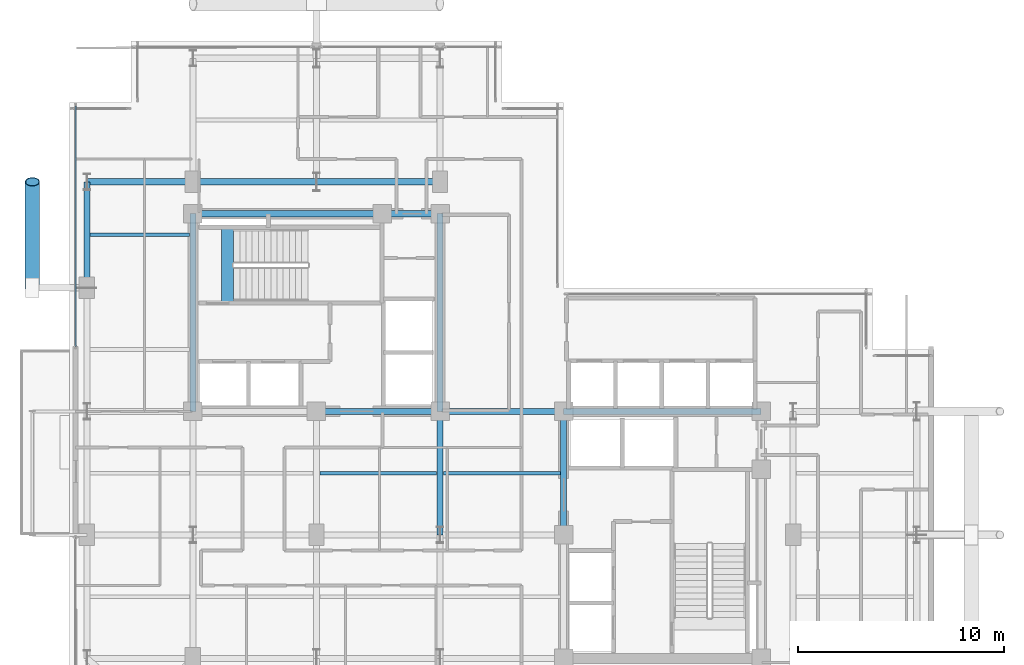
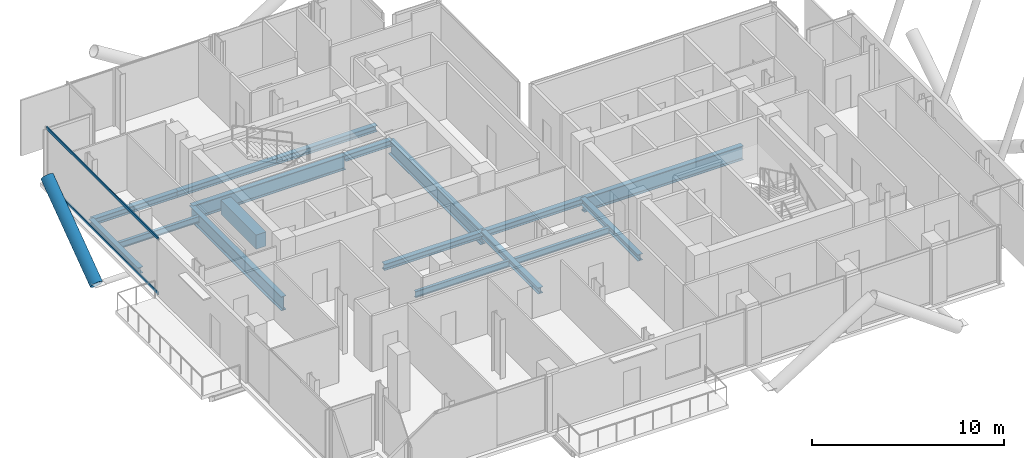
# One storey, part 8 of 22: 17 beams, 3 members, 1 element without a shape of its own.
"""IFC4 building model written with IfcOpenShell, lengths in metres."""

from ifc_helpers import new_model, si_unit, direction, frame, origin, origin_2d, place, context, subcontext, project, spatial, rectangle, hollow_rectangle, hollow_circle, i_section, extrude, material, layer, layer_set, material_profile, profile_set, type_object, element, aggregate, save


model = new_model("IFC4")

# Units and contexts
model_context = context("Model", 3, precision=1e-05, world=origin(), true_north=direction((0.0, 1.0)))
body_context = subcontext(model_context, "Body", "Model", "MODEL_VIEW")
ifc_project = project(units=[si_unit("LENGTHUNIT", "METRE"), si_unit("AREAUNIT", "SQUARE_METRE"), si_unit("VOLUMEUNIT", "CUBIC_METRE"), si_unit("PLANEANGLEUNIT", "RADIAN"), si_unit("MASSUNIT", "GRAM", prefix="KILO"), si_unit("THERMODYNAMICTEMPERATUREUNIT", "KELVIN"), si_unit("POWERUNIT", "WATT")], contexts=[model_context])

# Site, building, storey
site_placement = place(None, origin())
site = spatial("IfcSite", under=ifc_project, at=site_placement, CompositionType="ELEMENT")
building_placement = place(site_placement, origin())
building = spatial("IfcBuilding", under=site, at=building_placement, Name="Svarakhadi Broadcast Tower", CompositionType="ELEMENT")
storey_placement = place(building_placement, frame((0.0, 0.0, 191.699951171875)))
storey = spatial("IfcBuildingStorey", under=building, at=storey_placement, Name="L47", CompositionType="ELEMENT", Elevation=191.699951171875)

# Beams
ifc_material_1 = material(Name="Steel S355J2 (IS 2062 E350C)", Category="steel")
ifc_material_profile_1 = material_profile(ifc_material_1, i_section(OverallWidth=0.179931640625, OverallDepth=0.39990234375, WebThickness=0.008544921875, FlangeThickness=0.013427734375, FilletRadius=0.02099609375, at=origin_2d()), Name="NPB 400x180x66")
ifc_profile_set_1 = profile_set([ifc_material_profile_1], Name="Steel S355J2 (IS 2062 E350C)")
beam_type_1 = type_object("IfcBeamType", Name="Beam_NPB400", PredefinedType="BEAM", material=ifc_profile_set_1)
beam_1_placement = place(storey_placement, frame((1.010009765625, 26.574951171875, -0.409912109375), z_axis=(1.0, 0.0, 0.0), x_axis=(0.0, 1.0, 0.0)))
element("IfcBeam", 1, at=beam_1_placement, inside=storey, type_object=beam_type_1, Name="L47 Secondary Composite Beam SB004", PredefinedType="BEAM", context=body_context, shape_type="SweptSolid", body=[
    extrude(i_section(OverallWidth=0.179931640625, OverallDepth=0.39990234375, WebThickness=0.008544921875, FlangeThickness=0.013427734375, FilletRadius=0.02099609375, at=origin_2d()), origin(), (0.0, 0.0, 1.0), 4.830078125),
])
for number, where, z_axis, x_axis, name in (
    (2, (12.159912109375, 15.0, -0.409912109375), (1.0, 0.0, 0.0), (0.0, 1.0, 0.0), "L47 Secondary Composite Beam SB011"),
    (3, (18.159912109375, 15.0, -0.409912109375), (1.0, 0.0, 0.0), (0.0, 1.0, 0.0), "L47 Secondary Composite Beam SB015"),
):
    element("IfcBeam", number, at=place(storey_placement, frame(where, z_axis=z_axis, x_axis=x_axis)), inside=storey, type_object=beam_type_1, Name=name, PredefinedType="BEAM", context=body_context, shape_type="SweptSolid", body=[
        extrude(i_section(OverallWidth=0.179931640625, OverallDepth=0.39990234375, WebThickness=0.008544921875, FlangeThickness=0.013427734375, FilletRadius=0.02099609375, at=origin_2d()), origin(), (0.0, 0.0, 1.0), 5.68017578125),
    ])

# Curtain wall, members
ifc_material_2 = material(Name="Anodised Bronze Aluminium AA 6063-T6", Category="aluminium")
ifc_layer = layer(ifc_material_2, 0.18994140625)
ifc_layer_set = layer_set([ifc_layer], Name="Anodised Bronze Aluminium AA 6063-T6")
curtain_wall_type = type_object("IfcCurtainWallType", Name="CW_Sys_04", PredefinedType="NOTDEFINED", material=ifc_layer_set)
curtain_wall_placement = place(storey_placement, origin())
curtain_wall = element("IfcCurtainWall", 4, at=curtain_wall_placement, inside=storey, type_object=curtain_wall_type, Name="L47 West Curtain Wall 03", PredefinedType="NOTDEFINED")
ifc_material_profile_2 = material_profile(ifc_material_2, hollow_rectangle(XDim=0.06494140625, YDim=0.175048828125, WallThickness=0.0048828125, at=origin_2d()), Name="ALU TRANSOM 175x65x5")
ifc_profile_set_2 = profile_set([ifc_material_profile_2], Name="Anodised Bronze Aluminium AA 6063-T6")
member_type_1 = type_object("IfcMemberType", Name="CW_Sys_04_Trn", PredefinedType="USERDEFINED", material=ifc_profile_set_2)
member_1_placement = place(storey_placement, frame((0.300048828125, 21.159912109375, 0.032470703125), z_axis=(0.0, 1.0, 0.0), x_axis=(-1.0, 0.0, 0.0)))
member_1 = element("IfcMember", 5, at=member_1_placement, type_object=member_type_1, Name="CW-04 transom 1.1", ObjectType="TRANSOM", PredefinedType="USERDEFINED", context=body_context, shape_type="SweptSolid", body=[
    extrude(hollow_rectangle(XDim=0.06494140625, YDim=0.175048828125, WallThickness=0.0048828125, at=origin_2d()), origin(), (0.0, 0.0, 1.0), 11.68017578125),
])
member_2_placement = place(storey_placement, frame((0.300048828125, 21.159912109375, 3.507568359375), z_axis=(0.0, 1.0, 0.0), x_axis=(-1.0, 0.0, 0.0)))
member_2 = element("IfcMember", 6, at=member_2_placement, type_object=member_type_1, Name="CW-04 transom 1.2", ObjectType="TRANSOM", PredefinedType="USERDEFINED", context=body_context, shape_type="SweptSolid", body=[
    extrude(hollow_rectangle(XDim=0.06494140625, YDim=0.175048828125, WallThickness=0.0048828125, at=origin_2d()), origin(), (0.0, 0.0, 1.0), 11.68017578125),
])
aggregate(curtain_wall, [member_1, member_2])

# Beam
ifc_material_3 = material(Name="Concrete C50/60 (IS 456 M60)", Category="concrete")
ifc_material_profile_3 = material_profile(ifc_material_3, rectangle(XDim=0.60009765625, YDim=0.89990234375, at=origin_2d()), Name="RC 600x900")
ifc_profile_set_3 = profile_set([ifc_material_profile_3], Name="Concrete C50/60 (IS 456 M60)")
beam_type_2 = type_object("IfcBeamType", Name="Coupling_RC600", PredefinedType="USERDEFINED", material=ifc_profile_set_3)
beam_2_placement = place(storey_placement, frame((7.679931640625, 23.260009765625, -0.449951171875), z_axis=(0.0, 1.0, 0.0), x_axis=(-1.0, 0.0, 0.0)))
element("IfcBeam", 7, at=beam_2_placement, inside=storey, type_object=beam_type_2, Name="L47 Stair ST-01 Landing Throat Trimmer Beam CB-01", ObjectType="GIRDER", PredefinedType="USERDEFINED", context=body_context, shape_type="SweptSolid", body=[
    extrude(rectangle(XDim=0.60009765625, YDim=0.89990234375, at=origin_2d()), origin(), (0.0, 0.0, 1.0), 3.679931640625),
])

# Member
ifc_material_4 = material(Name="Steel S460ML (IS 2062 E450BR)", Category="steel")
ifc_material_profile_4 = material_profile(ifc_material_4, hollow_circle(Radius=0.35546875, WallThickness=0.034912109375, at=origin_2d()), Name="CHS 711x35")
ifc_profile_set_4 = profile_set([ifc_material_profile_4], Name="Steel S460ML (IS 2062 E450BR)")
member_type_2 = type_object("IfcMemberType", Name="Exo_Brace_CHS711", PredefinedType="BRACE", material=ifc_profile_set_4)
member_3_placement = place(storey_placement, frame((-1.800048828125, 24.0, -0.371826171875), z_axis=(0.0, 0.808391243061, 0.588645562407), x_axis=(-1.0, 0.0, 0.0)))
element("IfcMember", 8, at=member_3_placement, inside=storey, type_object=member_type_2, Name="L47 Exposed Bronze Exoskeleton Diagonal W03", PredefinedType="BRACE", context=body_context, shape_type="SweptSolid", body=[
    extrude(hollow_circle(Radius=0.35546875, WallThickness=0.034912109375, at=origin_2d()), origin(), (0.0, 0.0, 1.0), 6.37060546875),
])

# Beams
ifc_material_profile_5 = material_profile(ifc_material_1, i_section(OverallWidth=0.300048828125, OverallDepth=0.39990234375, WebThickness=0.013427734375, FlangeThickness=0.02392578125, FilletRadius=0.027099609375, at=origin_2d()), Name="WPB 400x300x155")
ifc_profile_set_5 = profile_set([ifc_material_profile_5], Name="Steel S355J2 (IS 2062 E350C)")
beam_type_3 = type_object("IfcBeamType", Name="Girder_WPB400", PredefinedType="USERDEFINED", material=ifc_profile_set_5)
for number, where, z_axis, x_axis, name in (
    (9, (12.0, 18.0, -0.409912109375), (1.0, 0.0, 0.0), (0.0, 1.0, 0.0), "L47 Primary E-W Girder G022"),
    (10, (18.0, 18.0, -0.409912109375), (1.0, 0.0, 0.0), (0.0, 1.0, 0.0), "L47 Primary E-W Girder G023"),
):
    element("IfcBeam", number, at=place(storey_placement, frame(where, z_axis=z_axis, x_axis=x_axis)), inside=storey, type_object=beam_type_3, Name=name, ObjectType="GIRDER", PredefinedType="USERDEFINED", context=body_context, shape_type="SweptSolid", body=[
        extrude(i_section(OverallWidth=0.300048828125, OverallDepth=0.39990234375, WebThickness=0.013427734375, FlangeThickness=0.02392578125, FilletRadius=0.027099609375, at=origin_2d()), origin(), (0.0, 0.0, 1.0), 6.0),
    ])
beam_3_placement = place(storey_placement, frame((15.199951171875, 27.60009765625, -0.409912109375), z_axis=(1.0, 0.0, 0.0), x_axis=(0.0, 1.0, 0.0)))
element("IfcBeam", 11, at=beam_3_placement, inside=storey, type_object=beam_type_3, Name="L47 Primary E-W Girder G027", ObjectType="GIRDER", PredefinedType="USERDEFINED", context=body_context, shape_type="SweptSolid", body=[
    extrude(i_section(OverallWidth=0.300048828125, OverallDepth=0.39990234375, WebThickness=0.013427734375, FlangeThickness=0.02392578125, FilletRadius=0.027099609375, at=origin_2d()), origin(), (0.0, 0.0, 1.0), 2.800048828125),
])
beam_4_placement = place(storey_placement, frame((0.85009765625, 29.14990234375, -0.409912109375), z_axis=(1.0, 0.0, 0.0), x_axis=(0.0, 1.0, 0.0)))
element("IfcBeam", 12, at=beam_4_placement, inside=storey, type_object=beam_type_3, Name="L47 Primary E-W Girder G028", ObjectType="GIRDER", PredefinedType="USERDEFINED", context=body_context, shape_type="SweptSolid", body=[
    extrude(i_section(OverallWidth=0.300048828125, OverallDepth=0.39990234375, WebThickness=0.013427734375, FlangeThickness=0.02392578125, FilletRadius=0.027099609375, at=origin_2d()), origin(), (0.0, 0.0, 1.0), 5.14990234375),
])
for number, where, z_axis, x_axis, name in (
    (13, (6.0, 29.14990234375, -0.409912109375), (1.0, 0.0, 0.0), (0.0, 1.0, 0.0), "L47 Primary E-W Girder G029"),
    (14, (12.0, 29.14990234375, -0.409912109375), (1.0, 0.0, 0.0), (0.0, 1.0, 0.0), "L47 Primary E-W Girder G030"),
):
    element("IfcBeam", number, at=place(storey_placement, frame(where, z_axis=z_axis, x_axis=x_axis)), inside=storey, type_object=beam_type_3, Name=name, ObjectType="GIRDER", PredefinedType="USERDEFINED", context=body_context, shape_type="SweptSolid", body=[
        extrude(i_section(OverallWidth=0.300048828125, OverallDepth=0.39990234375, WebThickness=0.013427734375, FlangeThickness=0.02392578125, FilletRadius=0.027099609375, at=origin_2d()), origin(), (0.0, 0.0, 1.0), 6.0),
    ])
beam_5_placement = place(storey_placement, frame((0.85009765625, 24.0, -0.409912109375), z_axis=(0.0, 1.0, 0.0), x_axis=(-1.0, 0.0, 0.0)))
element("IfcBeam", 15, at=beam_5_placement, inside=storey, type_object=beam_type_3, Name="L47 Primary N-S Girder G036", ObjectType="GIRDER", PredefinedType="USERDEFINED", context=body_context, shape_type="SweptSolid", body=[
    extrude(i_section(OverallWidth=0.300048828125, OverallDepth=0.39990234375, WebThickness=0.013427734375, FlangeThickness=0.02392578125, FilletRadius=0.027099609375, at=origin_2d()), origin(), (0.0, 0.0, 1.0), 5.14990234375),
])
for number, where, z_axis, x_axis, name in (
    (16, (18.0, 12.0, -0.409912109375), (0.0, 1.0, 0.0), (-1.0, 0.0, 0.0), "L47 Primary N-S Girder G048"),
    (17, (24.0, 12.0, -0.409912109375), (0.0, 1.0, 0.0), (-1.0, 0.0, 0.0), "L47 Primary N-S Girder G053"),
):
    element("IfcBeam", number, at=place(storey_placement, frame(where, z_axis=z_axis, x_axis=x_axis)), inside=storey, type_object=beam_type_3, Name=name, ObjectType="GIRDER", PredefinedType="USERDEFINED", context=body_context, shape_type="SweptSolid", body=[
        extrude(i_section(OverallWidth=0.300048828125, OverallDepth=0.39990234375, WebThickness=0.013427734375, FlangeThickness=0.02392578125, FilletRadius=0.027099609375, at=origin_2d()), origin(), (0.0, 0.0, 1.0), 6.0),
    ])
ifc_material_profile_6 = material_profile(ifc_material_4, i_section(OverallWidth=0.300048828125, OverallDepth=0.89990234375, WebThickness=0.0185546875, FlangeThickness=0.034912109375, FilletRadius=0.030029296875, at=origin_2d()), Name="WPB 900x300x291")
ifc_profile_set_6 = profile_set([ifc_material_profile_6], Name="Steel S460ML (IS 2062 E450BR)")
beam_type_4 = type_object("IfcBeamType", Name="Girder_WPB900", PredefinedType="USERDEFINED", material=ifc_profile_set_6)
beam_6_placement = place(storey_placement, frame((24.0, 18.0, -0.659912109375), z_axis=(1.0, 0.0, 0.0), x_axis=(0.0, 1.0, 0.0)))
element("IfcBeam", 18, at=beam_6_placement, inside=storey, type_object=beam_type_4, Name="L47 Primary E-W Girder G024", ObjectType="GIRDER", PredefinedType="USERDEFINED", context=body_context, shape_type="SweptSolid", body=[
    extrude(i_section(OverallWidth=0.300048828125, OverallDepth=0.89990234375, WebThickness=0.0185546875, FlangeThickness=0.034912109375, FilletRadius=0.030029296875, at=origin_2d()), origin(), (0.0, 0.0, 1.0), 9.60009765625),
])
beam_7_placement = place(storey_placement, frame((6.0, 27.60009765625, -0.659912109375), z_axis=(1.0, 0.0, 0.0), x_axis=(0.0, 1.0, 0.0)))
element("IfcBeam", 19, at=beam_7_placement, inside=storey, type_object=beam_type_4, Name="L47 Primary E-W Girder G026", ObjectType="GIRDER", PredefinedType="USERDEFINED", context=body_context, shape_type="SweptSolid", body=[
    extrude(i_section(OverallWidth=0.300048828125, OverallDepth=0.89990234375, WebThickness=0.0185546875, FlangeThickness=0.034912109375, FilletRadius=0.030029296875, at=origin_2d()), origin(), (0.0, 0.0, 1.0), 9.199951171875),
])
for number, where, z_axis, x_axis, name in (
    (20, (6.0, 18.0, -0.659912109375), (0.0, 1.0, 0.0), (-1.0, 0.0, 0.0), "L47 Primary N-S Girder G040"),
    (21, (18.0, 18.0, -0.659912109375), (0.0, 1.0, 0.0), (-1.0, 0.0, 0.0), "L47 Primary N-S Girder G049"),
):
    element("IfcBeam", number, at=place(storey_placement, frame(where, z_axis=z_axis, x_axis=x_axis)), inside=storey, type_object=beam_type_4, Name=name, ObjectType="GIRDER", PredefinedType="USERDEFINED", context=body_context, shape_type="SweptSolid", body=[
        extrude(i_section(OverallWidth=0.300048828125, OverallDepth=0.89990234375, WebThickness=0.0185546875, FlangeThickness=0.034912109375, FilletRadius=0.030029296875, at=origin_2d()), origin(), (0.0, 0.0, 1.0), 9.60009765625),
    ])

save(model, "model.ifc")
